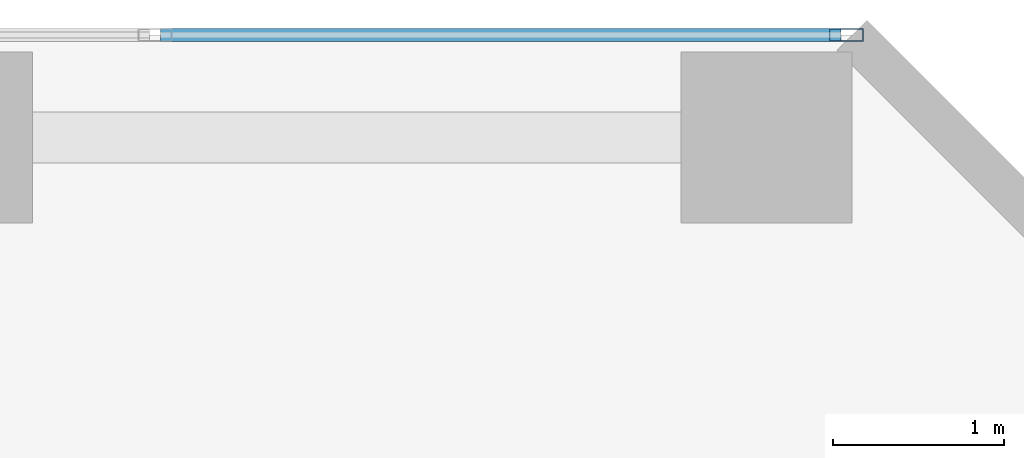
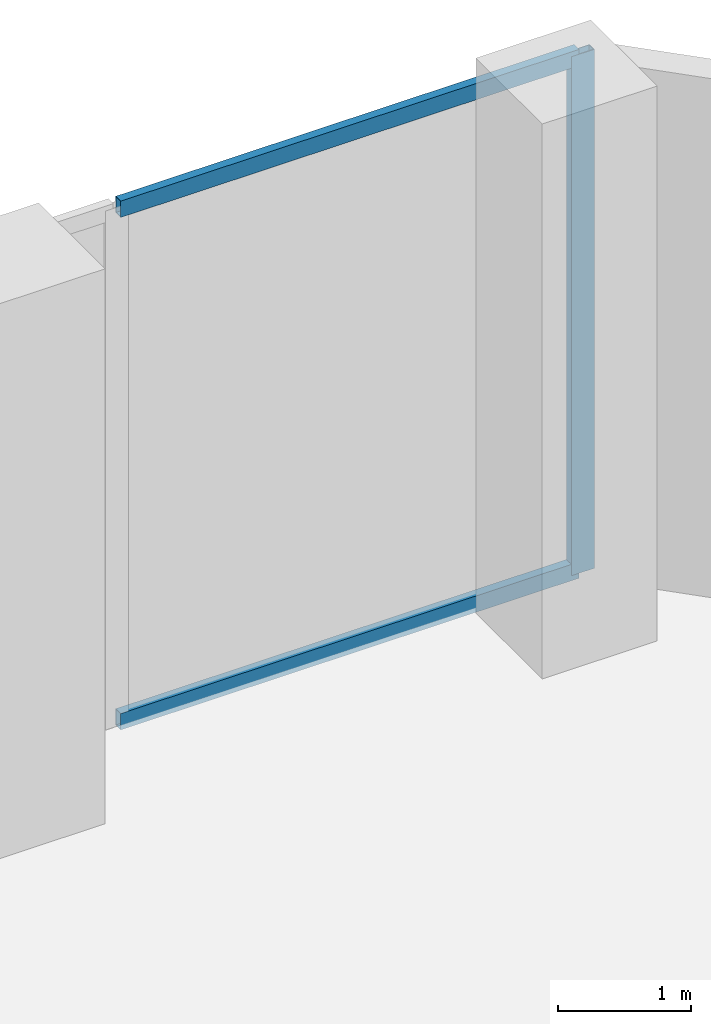
# One storey, part 19 of 24: 3 members, 1 element without a shape of its own.
"""IFC4 building model written with IfcOpenShell, lengths in metres."""

from ifc_helpers import new_model, si_unit, direction, frame, origin, origin_2d, place, context, subcontext, project, spatial, hollow_rectangle, extrude, material, layer, layer_set, material_profile, profile_set, type_object, element, aggregate, save


model = new_model("IFC4")

# Units and contexts
model_context = context("Model", 3, precision=1e-05, world=origin(), true_north=direction((0.0, 1.0)))
body_context = subcontext(model_context, "Body", "Model", "MODEL_VIEW")
ifc_project = project(units=[si_unit("LENGTHUNIT", "METRE"), si_unit("AREAUNIT", "SQUARE_METRE"), si_unit("VOLUMEUNIT", "CUBIC_METRE"), si_unit("PLANEANGLEUNIT", "RADIAN"), si_unit("MASSUNIT", "GRAM", prefix="KILO")], contexts=[model_context])

# Site, building, storey
site_placement = place(None, origin())
site = spatial("IfcSite", under=ifc_project, at=site_placement, CompositionType="ELEMENT")
building_placement = place(site_placement, origin())
building = spatial("IfcBuilding", under=site, at=building_placement, Name="Catumbela Crestline Tower", CompositionType="ELEMENT")
storey_placement = place(building_placement, frame((0.0, 0.0, 6.0)))
storey = spatial("IfcBuildingStorey", under=building, at=storey_placement, Name="L01", CompositionType="ELEMENT", Elevation=6.0)

# Curtain wall, members
ifc_material = material(Name="Aluminium alloy AW-6060-T66", Category="aluminium")
ifc_layer = layer(ifc_material, 0.18, Name="Aluminium alloy AW-6060-T66")
ifc_layer_set = layer_set([ifc_layer], Name="Aluminium alloy AW-6060-T66")
curtain_wall_type = type_object("IfcCurtainWallType", Name="CWS-POD", PredefinedType="USERDEFINED", material=ifc_layer_set)
curtain_wall_placement = place(storey_placement, origin())
curtain_wall = element("IfcCurtainWall", 1, at=curtain_wall_placement, inside=storey, type_object=curtain_wall_type, Name="L01 Stick Curtain Wall CW-L01-E7S1", ObjectType="STICK", PredefinedType="USERDEFINED")
ifc_material_profile_1 = material_profile(ifc_material, hollow_rectangle(XDim=0.075, YDim=0.2, WallThickness=0.005, at=origin_2d()), Name="ALU 200x75x5")
ifc_profile_set_1 = profile_set([ifc_material_profile_1], Name="Aluminium alloy AW-6060-T66")
member_type_1 = type_object("IfcMemberType", Name="MUL-200X75", PredefinedType="MULLION", material=ifc_profile_set_1)
member_1_placement = place(storey_placement, frame((52.4675, 48.0, 0.0), z_axis=(0.0, 0.0, 1.0), x_axis=(0.0, -1.0, 0.0)))
member_1 = element("IfcMember", 2, at=member_1_placement, type_object=member_type_1, Name="CWS-POD mullion 1", PredefinedType="MULLION", context=body_context, shape_type="SweptSolid", body=[
    extrude(hollow_rectangle(XDim=0.075, YDim=0.2, WallThickness=0.005, at=origin_2d()), origin(), (0.0, 0.0, 1.0), 4.77),
])
ifc_material_profile_2 = material_profile(ifc_material, hollow_rectangle(XDim=0.075, YDim=0.15, WallThickness=0.0045, at=origin_2d()), Name="ALU 150x75x4.5")
ifc_profile_set_2 = profile_set([ifc_material_profile_2], Name="Aluminium alloy AW-6060-T66")
member_type_2 = type_object("IfcMemberType", Name="TRN-150X75", PredefinedType="USERDEFINED", material=ifc_profile_set_2)
member_2_placement = place(storey_placement, frame((52.435, 48.0, 0.03), z_axis=(-1.0, 0.0, 0.0), x_axis=(0.0, -1.0, 0.0)))
member_2 = element("IfcMember", 3, at=member_2_placement, type_object=member_type_2, Name="CWS-POD transom 1.1", ObjectType="TRANSOM", PredefinedType="USERDEFINED", context=body_context, shape_type="SweptSolid", body=[
    extrude(hollow_rectangle(XDim=0.075, YDim=0.15, WallThickness=0.0045, at=origin_2d()), origin(), (0.0, 0.0, 1.0), 3.9858),
])
member_3_placement = place(storey_placement, frame((52.435, 48.0, 4.74), z_axis=(-1.0, 0.0, 0.0), x_axis=(0.0, -1.0, 0.0)))
member_3 = element("IfcMember", 4, at=member_3_placement, type_object=member_type_2, Name="CWS-POD transom 1.2", ObjectType="TRANSOM", PredefinedType="USERDEFINED", context=body_context, shape_type="SweptSolid", body=[
    extrude(hollow_rectangle(XDim=0.075, YDim=0.15, WallThickness=0.0045, at=origin_2d()), origin(), (0.0, 0.0, 1.0), 3.9858),
])
aggregate(curtain_wall, [member_1, member_2, member_3])

save(model, "model.ifc")
